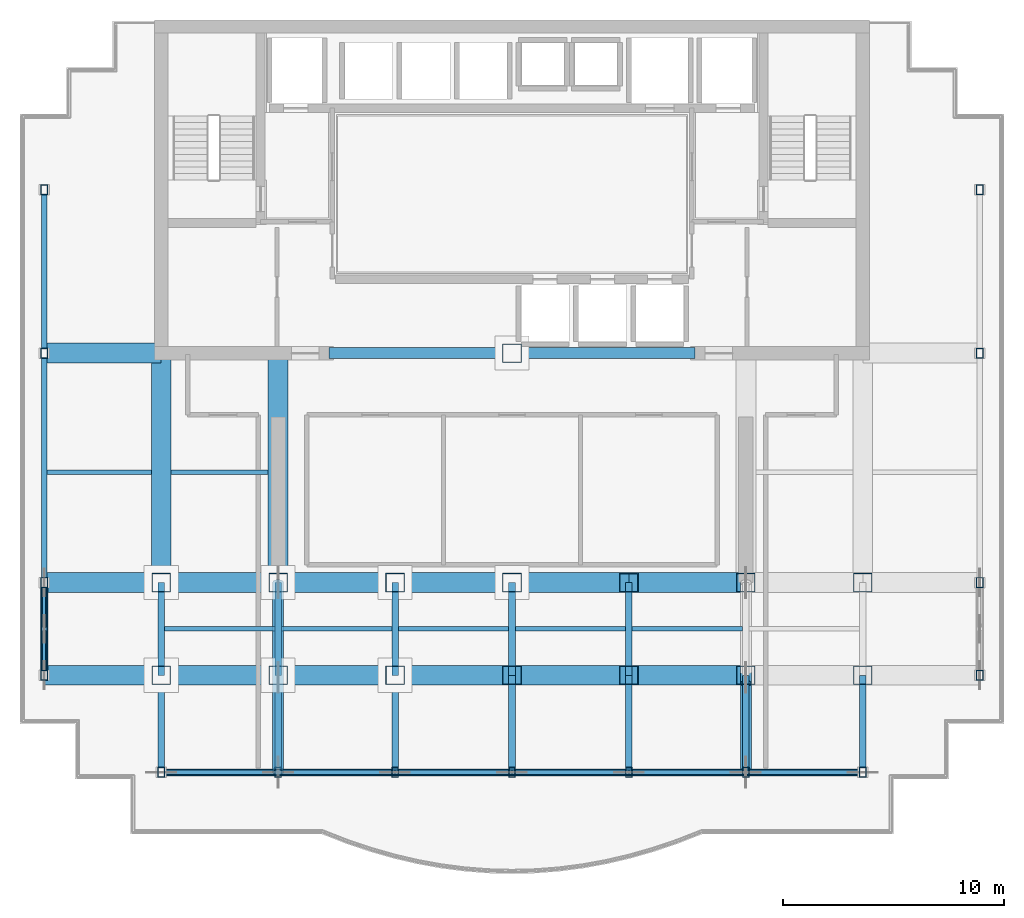
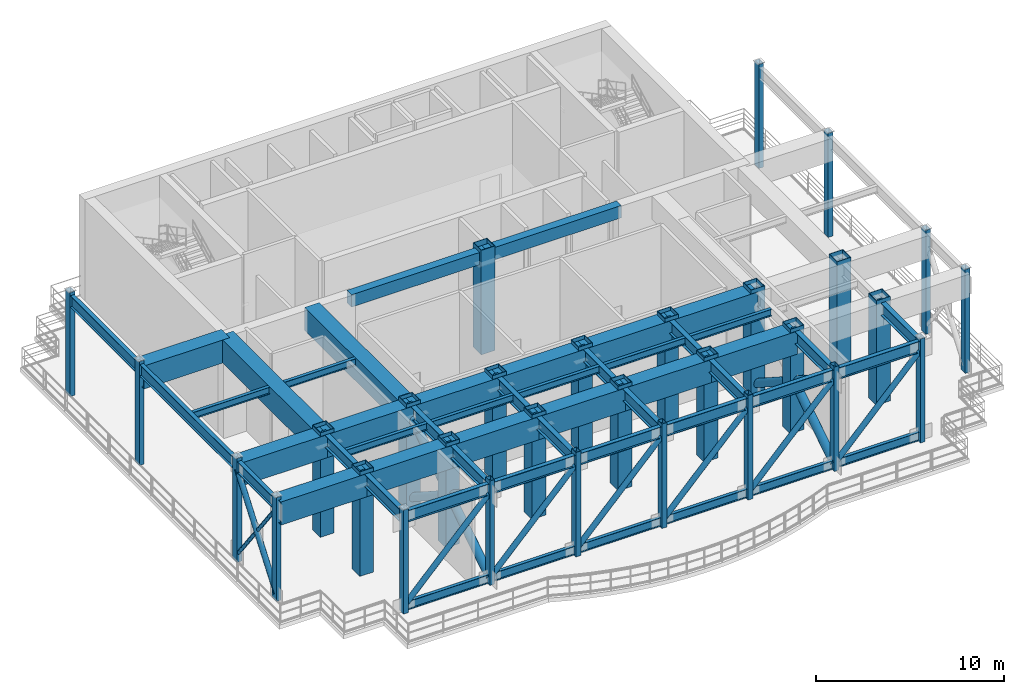
# One storey, part 1 of 7: 45 beams, 30 columns, 20 members.
"""IFC4 building model written with IfcOpenShell, lengths in metres."""

from ifc_helpers import new_model, si_unit, direction, frame, origin, origin_2d, place, context, subcontext, project, spatial, rectangle, hollow_rectangle, hollow_circle, i_section, extrude, material, material_profile, profile_set, type_object, element, save


model = new_model("IFC4")

# Units and contexts
model_context = context("Model", 3, precision=1e-05, world=origin(), true_north=direction((0.0, 1.0)))
body_context = subcontext(model_context, "Body", "Model", "MODEL_VIEW")
ifc_project = project(units=[si_unit("LENGTHUNIT", "METRE"), si_unit("AREAUNIT", "SQUARE_METRE"), si_unit("VOLUMEUNIT", "CUBIC_METRE"), si_unit("PLANEANGLEUNIT", "RADIAN"), si_unit("MASSUNIT", "GRAM", prefix="KILO")], contexts=[model_context])

# Site, building, storey
site_placement = place(None, origin())
site = spatial("IfcSite", under=ifc_project, at=site_placement, CompositionType="ELEMENT")
building_placement = place(site_placement, origin())
building = spatial("IfcBuilding", under=site, at=building_placement, Name="Qianlan Lanfeng Residences", CompositionType="ELEMENT")
storey_placement = place(building_placement, frame((0.0, 0.0, 185.39990234375)))
storey = spatial("IfcBuildingStorey", under=building, at=storey_placement, Name="L51", CompositionType="ELEMENT", Elevation=185.39990234375)

# Columns
ifc_material_1 = material(Name="Steel SN490B", Category="steel")
ifc_material_profile_1 = material_profile(ifc_material_1, hollow_rectangle(XDim=0.85009765625, YDim=0.85009765625, WallThickness=0.028076171875, at=origin_2d()), Name="BOX 850x850x28")
ifc_profile_set_1 = profile_set([ifc_material_profile_1], Name="Steel SN490B")
column_type_1 = type_object("IfcColumnType", Name="C-B900", PredefinedType="COLUMN", material=ifc_profile_set_1)
for number, where, z_axis, x_axis, name in (
    (1, (26.5, 25.199951171875, 0.0), (0.0, 0.0, 1.0), (1.0, 0.0, 0.0), "L51 Structural Column CP_26.5_25.2"),
    (2, (10.60009765625, 14.800048828125, 0.0), (0.0, 0.0, 1.0), (1.0, 0.0, 0.0), "L51 Structural Column M_10.60_14.80"),
    (3, (10.60009765625, 10.60009765625, 0.0), (0.0, 0.0, 1.0), (1.0, 0.0, 0.0), "L51 Structural Column G_10.60_10.60"),
    (4, (15.89990234375, 14.800048828125, 0.0), (0.0, 0.0, 1.0), (1.0, 0.0, 0.0), "L51 Structural Column M_15.90_14.80"),
    (5, (15.89990234375, 10.60009765625, 0.0), (0.0, 0.0, 1.0), (1.0, 0.0, 0.0), "L51 Structural Column G_15.90_10.60"),
    (6, (21.199951171875, 14.800048828125, 0.0), (0.0, 0.0, 1.0), (1.0, 0.0, 0.0), "L51 Structural Column M_21.20_14.80"),
    (7, (21.199951171875, 10.60009765625, 0.0), (0.0, 0.0, 1.0), (1.0, 0.0, 0.0), "L51 Structural Column G_21.20_10.60"),
    (8, (26.5, 14.800048828125, 0.0), (0.0, 0.0, 1.0), (1.0, 0.0, 0.0), "L51 Structural Column M_26.50_14.80"),
    (9, (26.5, 10.60009765625, 0.0), (0.0, 0.0, 1.0), (1.0, 0.0, 0.0), "L51 Structural Column G_26.50_10.60"),
    (10, (31.800048828125, 14.800048828125, 0.0), (0.0, 0.0, 1.0), (1.0, 0.0, 0.0), "L51 Structural Column M_31.80_14.80"),
    (11, (31.800048828125, 10.60009765625, 0.0), (0.0, 0.0, 1.0), (1.0, 0.0, 0.0), "L51 Structural Column G_31.80_10.60"),
    (12, (37.10009765625, 14.800048828125, 0.0), (0.0, 0.0, 1.0), (1.0, 0.0, 0.0), "L51 Structural Column M_37.10_14.80"),
    (13, (37.10009765625, 10.60009765625, 0.0), (0.0, 0.0, 1.0), (1.0, 0.0, 0.0), "L51 Structural Column G_37.10_10.60"),
    (14, (42.39990234375, 14.800048828125, 0.0), (0.0, 0.0, 1.0), (1.0, 0.0, 0.0), "L51 Structural Column M_42.40_14.80"),
    (15, (42.39990234375, 10.60009765625, 0.0), (0.0, 0.0, 1.0), (1.0, 0.0, 0.0), "L51 Structural Column G_42.40_10.60"),
):
    element("IfcColumn", number, at=place(storey_placement, frame(where, z_axis=z_axis, x_axis=x_axis)), inside=storey, type_object=column_type_1, Name=name, PredefinedType="COLUMN", context=body_context, shape_type="SweptSolid", body=[
        extrude(hollow_rectangle(XDim=0.85009765625, YDim=0.85009765625, WallThickness=0.028076171875, at=origin_2d()), origin(), (0.0, 0.0, 1.0), 6.800048828125),
    ])
ifc_material_profile_2 = material_profile(ifc_material_1, hollow_rectangle(XDim=0.300048828125, YDim=0.449951171875, WallThickness=0.01611328125, at=origin_2d()), Name="RHS 450x300x16")
ifc_profile_set_2 = profile_set([ifc_material_profile_2], Name="Steel SN490B")
column_type_2 = type_object("IfcColumnType", Name="CE-B950", PredefinedType="COLUMN", material=ifc_profile_set_2)
column_placement = place(storey_placement, frame((10.60009765625, 6.199951171875, 0.0), z_axis=(0.0, 0.0, 1.0), x_axis=(1.0, 0.0, 0.0)))
element("IfcColumn", 16, at=column_placement, inside=storey, type_object=column_type_2, Name="L51 Structural Column S_10.60_6.20", PredefinedType="COLUMN", context=body_context, shape_type="SweptSolid", body=[
    extrude(hollow_rectangle(XDim=0.300048828125, YDim=0.449951171875, WallThickness=0.01611328125, at=origin_2d()), origin(), (0.0, 0.0, 1.0), 6.76416015625),
])
for number, where, z_axis, x_axis, name in (
    (17, (15.89990234375, 6.199951171875, 0.0), (0.0, 0.0, 1.0), (1.0, 0.0, 0.0), "L51 Structural Column S_15.90_6.20"),
    (18, (21.199951171875, 6.199951171875, 0.0), (0.0, 0.0, 1.0), (1.0, 0.0, 0.0), "L51 Structural Column S_21.20_6.20"),
    (19, (26.5, 6.199951171875, 0.0), (0.0, 0.0, 1.0), (1.0, 0.0, 0.0), "L51 Structural Column S_26.50_6.20"),
    (20, (31.800048828125, 6.199951171875, 0.0), (0.0, 0.0, 1.0), (1.0, 0.0, 0.0), "L51 Structural Column S_31.80_6.20"),
    (21, (37.10009765625, 6.199951171875, 0.0), (0.0, 0.0, 1.0), (1.0, 0.0, 0.0), "L51 Structural Column S_37.10_6.20"),
):
    element("IfcColumn", number, at=place(storey_placement, frame(where, z_axis=z_axis, x_axis=x_axis)), inside=storey, type_object=column_type_2, Name=name, PredefinedType="COLUMN", context=body_context, shape_type="SweptSolid", body=[
        extrude(hollow_rectangle(XDim=0.300048828125, YDim=0.449951171875, WallThickness=0.01611328125, at=origin_2d()), origin(), (0.0, 0.0, 1.0), 6.800048828125),
    ])
for number, where, z_axis, x_axis, name in (
    (22, (42.39990234375, 6.199951171875, 0.0), (0.0, 0.0, 1.0), (1.0, 0.0, 0.0), "L51 Structural Column S_42.40_6.20"),
    (23, (5.300048828125, 10.60009765625, 0.0), (0.0, 0.0, 1.0), (1.0, 0.0, 0.0), "L51 Structural Column W_5.30_10.60"),
    (24, (5.300048828125, 14.800048828125, 0.0), (0.0, 0.0, 1.0), (1.0, 0.0, 0.0), "L51 Structural Column W_5.30_14.80"),
    (25, (5.300048828125, 25.199951171875, 0.0), (0.0, 0.0, 1.0), (1.0, 0.0, 0.0), "L51 Structural Column W_5.30_25.20"),
    (26, (5.300048828125, 32.60009765625, 0.0), (0.0, 0.0, 1.0), (1.0, 0.0, 0.0), "L51 Structural Column W_5.30_32.60"),
    (27, (47.699951171875, 10.60009765625, 0.0), (0.0, 0.0, 1.0), (1.0, 0.0, 0.0), "L51 Structural Column W_47.70_10.60"),
    (28, (47.699951171875, 14.800048828125, 0.0), (0.0, 0.0, 1.0), (1.0, 0.0, 0.0), "L51 Structural Column W_47.70_14.80"),
    (29, (47.699951171875, 25.199951171875, 0.0), (0.0, 0.0, 1.0), (1.0, 0.0, 0.0), "L51 Structural Column W_47.70_25.20"),
    (30, (47.699951171875, 32.60009765625, 0.0), (0.0, 0.0, 1.0), (1.0, 0.0, 0.0), "L51 Structural Column W_47.70_32.60"),
):
    element("IfcColumn", number, at=place(storey_placement, frame(where, z_axis=z_axis, x_axis=x_axis)), inside=storey, type_object=column_type_2, Name=name, PredefinedType="COLUMN", context=body_context, shape_type="SweptSolid", body=[
        extrude(hollow_rectangle(XDim=0.300048828125, YDim=0.449951171875, WallThickness=0.01611328125, at=origin_2d()), origin(), (0.0, 0.0, 1.0), 6.76416015625),
    ])

# Members
ifc_material_profile_3 = material_profile(ifc_material_1, hollow_circle(Radius=0.161865234375, WallThickness=0.0126953125, at=origin_2d()), Name="CHS 323.9x12.7")
ifc_profile_set_3 = profile_set([ifc_material_profile_3], Name="Steel SN490B")
member_type_1 = type_object("IfcMemberType", Name="BB-356", PredefinedType="BRACE", material=ifc_profile_set_3)
for number, where, z_axis, x_axis, name in (
    (31, (10.60009765625, 6.199951171875, 0.35009765625), (0.689963046468, 0.0, 0.723844592789), (0.0, 1.0, 0.0), "L51 South Belt Truss Diagonal 1"),
    (32, (15.89990234375, 6.199951171875, 0.35009765625), (0.689979699081, 0.0, 0.723828719281), (0.0, 1.0, 0.0), "L51 South Belt Truss Diagonal 2"),
    (33, (21.199951171875, 6.199951171875, 0.35009765625), (0.689979699081, 0.0, 0.723828719281), (0.0, 1.0, 0.0), "L51 South Belt Truss Diagonal 3"),
    (34, (26.5, 6.199951171875, 0.35009765625), (0.689979699081, 0.0, 0.723828719281), (0.0, 1.0, 0.0), "L51 South Belt Truss Diagonal 4"),
    (35, (31.800048828125, 6.199951171875, 0.35009765625), (0.689979699081, 0.0, 0.723828719281), (0.0, 1.0, 0.0), "L51 South Belt Truss Diagonal 5"),
    (36, (37.10009765625, 6.199951171875, 0.35009765625), (0.689963046468, 0.0, 0.723844592789), (0.0, 1.0, 0.0), "L51 South Belt Truss Diagonal 6"),
):
    element("IfcMember", number, at=place(storey_placement, frame(where, z_axis=z_axis, x_axis=x_axis)), inside=storey, type_object=member_type_1, Name=name, PredefinedType="BRACE", context=body_context, shape_type="SweptSolid", body=[
        extrude(hollow_circle(Radius=0.161865234375, WallThickness=0.0126953125, at=origin_2d()), origin(), (0.0, 0.0, 1.0), 7.681396484375),
    ])
member_1_placement = place(storey_placement, frame((5.300048828125, 10.60009765625, 0.35009765625), z_axis=(0.0, 0.602743372314, 0.79793510208), x_axis=(-1.0, 0.0, 0.0)))
element("IfcMember", 37, at=member_1_placement, inside=storey, type_object=member_type_1, Name="L51 W End Portal Continuous Diagonal", PredefinedType="BRACE", context=body_context, shape_type="SweptSolid", body=[
    extrude(hollow_circle(Radius=0.161865234375, WallThickness=0.0126953125, at=origin_2d()), origin(), (0.0, 0.0, 1.0), 6.968017578125),
])

# Beams
ifc_material_profile_4 = material_profile(ifc_material_1, i_section(OverallWidth=0.300048828125, OverallDepth=0.800048828125, WebThickness=0.01611328125, FlangeThickness=0.028076171875, at=origin_2d()), Name="H 800x300x16x28")
ifc_profile_set_4 = profile_set([ifc_material_profile_4], Name="Steel SN490B")
beam_type_1 = type_object("IfcBeamType", Name="G-950", PredefinedType="BEAM", material=ifc_profile_set_4)
beam_1_placement = place(storey_placement, frame((10.60009765625, 6.199951171875, 6.16015625), z_axis=(0.0, 1.0, 0.0), x_axis=(-1.0, 0.0, 0.0)))
element("IfcBeam", 38, at=beam_1_placement, inside=storey, type_object=beam_type_1, Name="Structural beam G-950", PredefinedType="BEAM", context=body_context, shape_type="SweptSolid", body=[
    extrude(i_section(OverallWidth=0.300048828125, OverallDepth=0.800048828125, WebThickness=0.01611328125, FlangeThickness=0.028076171875, at=origin_2d()), origin(), (0.0, 0.0, 1.0), 4.400146484375),
])
beam_2_placement = place(storey_placement, frame((10.60009765625, 10.60009765625, 6.16015625), z_axis=(0.0, 1.0, 0.0), x_axis=(-1.0, 0.0, 0.0)))
element("IfcBeam", 39, at=beam_2_placement, inside=storey, type_object=beam_type_1, Name="Structural beam G-950", PredefinedType="BEAM", context=body_context, shape_type="SweptSolid", body=[
    extrude(i_section(OverallWidth=0.300048828125, OverallDepth=0.800048828125, WebThickness=0.01611328125, FlangeThickness=0.028076171875, at=origin_2d()), origin(), (0.0, 0.0, 1.0), 4.199951171875),
])
beam_3_placement = place(storey_placement, frame((15.89990234375, 6.199951171875, 6.16015625), z_axis=(0.0, 1.0, 0.0), x_axis=(-1.0, 0.0, 0.0)))
element("IfcBeam", 40, at=beam_3_placement, inside=storey, type_object=beam_type_1, Name="Structural beam G-950", PredefinedType="BEAM", context=body_context, shape_type="SweptSolid", body=[
    extrude(i_section(OverallWidth=0.300048828125, OverallDepth=0.800048828125, WebThickness=0.01611328125, FlangeThickness=0.028076171875, at=origin_2d()), origin(), (0.0, 0.0, 1.0), 4.400146484375),
])
beam_4_placement = place(storey_placement, frame((15.89990234375, 10.60009765625, 6.16015625), z_axis=(0.0, 1.0, 0.0), x_axis=(-1.0, 0.0, 0.0)))
element("IfcBeam", 41, at=beam_4_placement, inside=storey, type_object=beam_type_1, Name="Structural beam G-950", PredefinedType="BEAM", context=body_context, shape_type="SweptSolid", body=[
    extrude(i_section(OverallWidth=0.300048828125, OverallDepth=0.800048828125, WebThickness=0.01611328125, FlangeThickness=0.028076171875, at=origin_2d()), origin(), (0.0, 0.0, 1.0), 4.199951171875),
])
beam_5_placement = place(storey_placement, frame((21.199951171875, 6.199951171875, 6.16015625), z_axis=(0.0, 1.0, 0.0), x_axis=(-1.0, 0.0, 0.0)))
element("IfcBeam", 42, at=beam_5_placement, inside=storey, type_object=beam_type_1, Name="Structural beam G-950", PredefinedType="BEAM", context=body_context, shape_type="SweptSolid", body=[
    extrude(i_section(OverallWidth=0.300048828125, OverallDepth=0.800048828125, WebThickness=0.01611328125, FlangeThickness=0.028076171875, at=origin_2d()), origin(), (0.0, 0.0, 1.0), 4.400146484375),
])
beam_6_placement = place(storey_placement, frame((21.199951171875, 10.60009765625, 6.16015625), z_axis=(0.0, 1.0, 0.0), x_axis=(-1.0, 0.0, 0.0)))
element("IfcBeam", 43, at=beam_6_placement, inside=storey, type_object=beam_type_1, Name="Structural beam G-950", PredefinedType="BEAM", context=body_context, shape_type="SweptSolid", body=[
    extrude(i_section(OverallWidth=0.300048828125, OverallDepth=0.800048828125, WebThickness=0.01611328125, FlangeThickness=0.028076171875, at=origin_2d()), origin(), (0.0, 0.0, 1.0), 4.199951171875),
])
beam_7_placement = place(storey_placement, frame((26.5, 6.199951171875, 6.16015625), z_axis=(0.0, 1.0, 0.0), x_axis=(-1.0, 0.0, 0.0)))
element("IfcBeam", 44, at=beam_7_placement, inside=storey, type_object=beam_type_1, Name="Structural beam G-950", PredefinedType="BEAM", context=body_context, shape_type="SweptSolid", body=[
    extrude(i_section(OverallWidth=0.300048828125, OverallDepth=0.800048828125, WebThickness=0.01611328125, FlangeThickness=0.028076171875, at=origin_2d()), origin(), (0.0, 0.0, 1.0), 4.400146484375),
])
beam_8_placement = place(storey_placement, frame((26.5, 10.60009765625, 6.16015625), z_axis=(0.0, 1.0, 0.0), x_axis=(-1.0, 0.0, 0.0)))
element("IfcBeam", 45, at=beam_8_placement, inside=storey, type_object=beam_type_1, Name="Structural beam G-950", PredefinedType="BEAM", context=body_context, shape_type="SweptSolid", body=[
    extrude(i_section(OverallWidth=0.300048828125, OverallDepth=0.800048828125, WebThickness=0.01611328125, FlangeThickness=0.028076171875, at=origin_2d()), origin(), (0.0, 0.0, 1.0), 4.199951171875),
])
beam_9_placement = place(storey_placement, frame((31.800048828125, 6.199951171875, 6.16015625), z_axis=(0.0, 1.0, 0.0), x_axis=(-1.0, 0.0, 0.0)))
element("IfcBeam", 46, at=beam_9_placement, inside=storey, type_object=beam_type_1, Name="Structural beam G-950", PredefinedType="BEAM", context=body_context, shape_type="SweptSolid", body=[
    extrude(i_section(OverallWidth=0.300048828125, OverallDepth=0.800048828125, WebThickness=0.01611328125, FlangeThickness=0.028076171875, at=origin_2d()), origin(), (0.0, 0.0, 1.0), 4.400146484375),
])
beam_10_placement = place(storey_placement, frame((31.800048828125, 10.60009765625, 6.16015625), z_axis=(0.0, 1.0, 0.0), x_axis=(-1.0, 0.0, 0.0)))
element("IfcBeam", 47, at=beam_10_placement, inside=storey, type_object=beam_type_1, Name="Structural beam G-950", PredefinedType="BEAM", context=body_context, shape_type="SweptSolid", body=[
    extrude(i_section(OverallWidth=0.300048828125, OverallDepth=0.800048828125, WebThickness=0.01611328125, FlangeThickness=0.028076171875, at=origin_2d()), origin(), (0.0, 0.0, 1.0), 4.199951171875),
])
for number, where, z_axis, x_axis, name in (
    (48, (37.10009765625, 6.199951171875, 6.16015625), (0.0, 1.0, 0.0), (-1.0, 0.0, 0.0), "Structural beam G-950"),
    (49, (42.39990234375, 6.199951171875, 6.16015625), (0.0, 1.0, 0.0), (-1.0, 0.0, 0.0), "Structural beam G-950"),
):
    element("IfcBeam", number, at=place(storey_placement, frame(where, z_axis=z_axis, x_axis=x_axis)), inside=storey, type_object=beam_type_1, Name=name, PredefinedType="BEAM", context=body_context, shape_type="SweptSolid", body=[
        extrude(i_section(OverallWidth=0.300048828125, OverallDepth=0.800048828125, WebThickness=0.01611328125, FlangeThickness=0.028076171875, at=origin_2d()), origin(), (0.0, 0.0, 1.0), 4.400146484375),
    ])
ifc_material_profile_5 = material_profile(ifc_material_1, i_section(OverallWidth=0.199951171875, OverallDepth=0.449951171875, WebThickness=0.009033203125, FlangeThickness=0.013916015625, at=origin_2d()), Name="H 450x200x9x14")
ifc_profile_set_5 = profile_set([ifc_material_profile_5], Name="Steel SN490B")
beam_type_2 = type_object("IfcBeamType", Name="J-450", PredefinedType="JOIST", material=ifc_profile_set_5)
for number, where, z_axis, x_axis, name in (
    (50, (10.75, 12.699951171875, 6.335205078125), (1.0, 0.0, 0.0), (0.0, 1.0, 0.0), "Structural beam J-450"),
    (51, (16.050048828125, 12.699951171875, 6.335205078125), (1.0, 0.0, 0.0), (0.0, 1.0, 0.0), "Structural beam J-450"),
    (52, (21.35009765625, 12.699951171875, 6.335205078125), (1.0, 0.0, 0.0), (0.0, 1.0, 0.0), "Structural beam J-450"),
    (53, (26.64990234375, 12.699951171875, 6.335205078125), (1.0, 0.0, 0.0), (0.0, 1.0, 0.0), "Structural beam J-450"),
    (54, (31.949951171875, 12.699951171875, 6.335205078125), (1.0, 0.0, 0.0), (0.0, 1.0, 0.0), "Structural beam J-450"),
):
    element("IfcBeam", number, at=place(storey_placement, frame(where, z_axis=z_axis, x_axis=x_axis)), inside=storey, type_object=beam_type_2, Name=name, PredefinedType="JOIST", context=body_context, shape_type="SweptSolid", body=[
        extrude(i_section(OverallWidth=0.199951171875, OverallDepth=0.449951171875, WebThickness=0.009033203125, FlangeThickness=0.013916015625, at=origin_2d()), origin(), (0.0, 0.0, 1.0), 5.0),
    ])
beam_11_placement = place(storey_placement, frame((5.425048828125, 19.800048828125, 6.335205078125), z_axis=(1.0, 0.0, 0.0), x_axis=(0.0, 1.0, 0.0)))
element("IfcBeam", 55, at=beam_11_placement, inside=storey, type_object=beam_type_2, Name="Structural beam J-450", PredefinedType="JOIST", context=body_context, shape_type="SweptSolid", body=[
    extrude(i_section(OverallWidth=0.199951171875, OverallDepth=0.449951171875, WebThickness=0.009033203125, FlangeThickness=0.013916015625, at=origin_2d()), origin(), (0.0, 0.0, 1.0), 4.724853515625),
])
beam_12_placement = place(storey_placement, frame((11.050048828125, 19.800048828125, 6.335205078125), z_axis=(1.0, 0.0, 0.0), x_axis=(0.0, 1.0, 0.0)))
element("IfcBeam", 56, at=beam_12_placement, inside=storey, type_object=beam_type_2, Name="Structural beam J-450", PredefinedType="JOIST", context=body_context, shape_type="SweptSolid", body=[
    extrude(i_section(OverallWidth=0.199951171875, OverallDepth=0.449951171875, WebThickness=0.009033203125, FlangeThickness=0.013916015625, at=origin_2d()), origin(), (0.0, 0.0, 1.0), 4.39990234375),
])
ifc_material_2 = material(Name="Concrete C49", Category="concrete")
ifc_material_profile_6 = material_profile(ifc_material_2, rectangle(XDim=0.5, YDim=0.800048828125, at=origin_2d()), Name="RC 500x800")
ifc_profile_set_6 = profile_set([ifc_material_profile_6], Name="Concrete C49")
beam_type_3 = type_object("IfcBeamType", Name="LB-RC750", PredefinedType="BEAM", material=ifc_profile_set_6)
for number, where, z_axis, x_axis, name in (
    (57, (18.199951171875, 25.199951171875, 6.16015625), (1.0, 0.0, 0.0), (0.0, 1.0, 0.0), "L51 Core Coupling Beam W"),
    (58, (26.5, 25.199951171875, 6.16015625), (1.0, 0.0, 0.0), (0.0, 1.0, 0.0), "L51 Core Coupling Beam E"),
):
    element("IfcBeam", number, at=place(storey_placement, frame(where, z_axis=z_axis, x_axis=x_axis)), inside=storey, type_object=beam_type_3, Name=name, PredefinedType="BEAM", context=body_context, shape_type="SweptSolid", body=[
        extrude(rectangle(XDim=0.5, YDim=0.800048828125, at=origin_2d()), origin(), (0.0, 0.0, 1.0), 8.300048828125),
    ])

# Members
ifc_material_profile_7 = material_profile(ifc_material_1, hollow_circle(Radius=0.25390625, WallThickness=0.02197265625, at=origin_2d()), Name="CHS 508x22")
ifc_profile_set_7 = profile_set([ifc_material_profile_7], Name="Steel SN490B")
member_type_2 = type_object("IfcMemberType", Name="OB-508", PredefinedType="BRACE", material=ifc_profile_set_7)
member_2_placement = place(storey_placement, frame((15.89990234375, 14.800048828125, 0.35009765625), z_axis=(0.0, -0.839779884562, 0.542927016721), x_axis=(1.0, 0.0, 0.0)))
element("IfcMember", 59, at=member_2_placement, inside=storey, type_object=member_type_2, Name="L51 Outrigger Continuous Diagonal G4-D1", PredefinedType="BRACE", context=body_context, shape_type="SweptSolid", body=[
    extrude(hollow_circle(Radius=0.25390625, WallThickness=0.02197265625, at=origin_2d()), origin(), (0.0, 0.0, 1.0), 10.240966796875),
])
member_3_placement = place(storey_placement, frame((15.89990234375, 14.800048828125, 5.91015625), z_axis=(0.0, -0.839761131454, -0.542956022251), x_axis=(1.0, 0.0, 0.0)))
element("IfcMember", 60, at=member_3_placement, inside=storey, type_object=member_type_2, Name="L51 Outrigger Split Upper Half-Diagonal G4-D2A", PredefinedType="BRACE", context=body_context, shape_type="SweptSolid", body=[
    extrude(hollow_circle(Radius=0.25390625, WallThickness=0.02197265625, at=origin_2d()), origin(), (0.0, 0.0, 1.0), 4.800537109375),
])
member_4_placement = place(storey_placement, frame((15.89990234375, 10.231201171875, 2.956298828125), z_axis=(0.0, -0.839784320035, -0.54292015603), x_axis=(1.0, 0.0, 0.0)))
element("IfcMember", 61, at=member_4_placement, inside=storey, type_object=member_type_2, Name="L51 Outrigger Split Lower Half-Diagonal G4-D2B", PredefinedType="BRACE", context=body_context, shape_type="SweptSolid", body=[
    extrude(hollow_circle(Radius=0.25390625, WallThickness=0.02197265625, at=origin_2d()), origin(), (0.0, 0.0, 1.0), 4.80029296875),
])
member_5_placement = place(storey_placement, frame((37.10009765625, 14.800048828125, 0.35009765625), z_axis=(0.0, -0.839779884562, 0.542927016721), x_axis=(1.0, 0.0, 0.0)))
element("IfcMember", 62, at=member_5_placement, inside=storey, type_object=member_type_2, Name="L51 Outrigger Continuous Diagonal G8-D1", PredefinedType="BRACE", context=body_context, shape_type="SweptSolid", body=[
    extrude(hollow_circle(Radius=0.25390625, WallThickness=0.02197265625, at=origin_2d()), origin(), (0.0, 0.0, 1.0), 10.240966796875),
])
member_6_placement = place(storey_placement, frame((37.10009765625, 10.231201171875, 2.956298828125), z_axis=(0.0, -0.839784320035, -0.54292015603), x_axis=(1.0, 0.0, 0.0)))
element("IfcMember", 63, at=member_6_placement, inside=storey, type_object=member_type_2, Name="L51 Outrigger Split Lower Half-Diagonal G8-D2B", PredefinedType="BRACE", context=body_context, shape_type="SweptSolid", body=[
    extrude(hollow_circle(Radius=0.25390625, WallThickness=0.02197265625, at=origin_2d()), origin(), (0.0, 0.0, 1.0), 4.80029296875),
])
ifc_material_profile_8 = material_profile(ifc_material_1, hollow_circle(Radius=0.109619140625, WallThickness=0.010009765625, at=origin_2d()), Name="CHS 219.1x10")
ifc_profile_set_8 = profile_set([ifc_material_profile_8], Name="Steel SN490B")
member_type_3 = type_object("IfcMemberType", Name="PB-273", PredefinedType="STRUT", material=ifc_profile_set_8)
member_7_placement = place(storey_placement, frame((5.300048828125, 14.800048828125, 0.35009765625), z_axis=(0.0, -0.602766012183, 0.797917999895), x_axis=(1.0, 0.0, 0.0)))
element("IfcMember", 64, at=member_7_placement, inside=storey, type_object=member_type_3, Name="L51 W Portal Split Counter-Brace Lower Half", PredefinedType="STRUT", context=body_context, shape_type="SweptSolid", body=[
    extrude(hollow_circle(Radius=0.109619140625, WallThickness=0.010009765625, at=origin_2d()), origin(), (0.0, 0.0, 1.0), 3.243896484375),
])
member_8_placement = place(storey_placement, frame((5.300048828125, 12.555419921875, 3.321533203125), z_axis=(0.0, -0.602729816328, 0.797945341806), x_axis=(1.0, 0.0, 0.0)))
element("IfcMember", 65, at=member_8_placement, inside=storey, type_object=member_type_3, Name="L51 W Portal Split Counter-Brace Upper Half", PredefinedType="STRUT", context=body_context, shape_type="SweptSolid", body=[
    extrude(hollow_circle(Radius=0.109619140625, WallThickness=0.010009765625, at=origin_2d()), origin(), (0.0, 0.0, 1.0), 3.244140625),
])

# Beams
ifc_material_profile_9 = material_profile(ifc_material_1, i_section(OverallWidth=0.25, OverallDepth=0.75, WebThickness=0.013916015625, FlangeThickness=0.02490234375, at=origin_2d()), Name="H 750x250x14x25")
ifc_profile_set_9 = profile_set([ifc_material_profile_9], Name="Steel SN490B")
beam_type_4 = type_object("IfcBeamType", Name="SG-850", PredefinedType="SPANDREL", material=ifc_profile_set_9)
beam_13_placement = place(storey_placement, frame((10.60009765625, 6.199951171875, 6.18505859375), z_axis=(1.0, 0.0, 0.0), x_axis=(0.0, 1.0, 0.0)))
element("IfcBeam", 66, at=beam_13_placement, inside=storey, type_object=beam_type_4, Name="Structural beam SG-850", PredefinedType="SPANDREL", context=body_context, shape_type="SweptSolid", body=[
    extrude(i_section(OverallWidth=0.25, OverallDepth=0.75, WebThickness=0.013916015625, FlangeThickness=0.02490234375, at=origin_2d()), origin(), (0.0, 0.0, 1.0), 5.2998046875),
])
for number, where, z_axis, x_axis, name in (
    (67, (15.89990234375, 6.199951171875, 6.18505859375), (1.0, 0.0, 0.0), (0.0, 1.0, 0.0), "Structural beam SG-850"),
    (68, (21.199951171875, 6.199951171875, 6.18505859375), (1.0, 0.0, 0.0), (0.0, 1.0, 0.0), "Structural beam SG-850"),
    (69, (26.5, 6.199951171875, 6.18505859375), (1.0, 0.0, 0.0), (0.0, 1.0, 0.0), "Structural beam SG-850"),
    (70, (31.800048828125, 6.199951171875, 6.18505859375), (1.0, 0.0, 0.0), (0.0, 1.0, 0.0), "Structural beam SG-850"),
):
    element("IfcBeam", number, at=place(storey_placement, frame(where, z_axis=z_axis, x_axis=x_axis)), inside=storey, type_object=beam_type_4, Name=name, PredefinedType="SPANDREL", context=body_context, shape_type="SweptSolid", body=[
        extrude(i_section(OverallWidth=0.25, OverallDepth=0.75, WebThickness=0.013916015625, FlangeThickness=0.02490234375, at=origin_2d()), origin(), (0.0, 0.0, 1.0), 5.300048828125),
    ])
beam_14_placement = place(storey_placement, frame((37.10009765625, 6.199951171875, 6.18505859375), z_axis=(1.0, 0.0, 0.0), x_axis=(0.0, 1.0, 0.0)))
element("IfcBeam", 71, at=beam_14_placement, inside=storey, type_object=beam_type_4, Name="Structural beam SG-850", PredefinedType="SPANDREL", context=body_context, shape_type="SweptSolid", body=[
    extrude(i_section(OverallWidth=0.25, OverallDepth=0.75, WebThickness=0.013916015625, FlangeThickness=0.02490234375, at=origin_2d()), origin(), (0.0, 0.0, 1.0), 5.2998046875),
])
beam_15_placement = place(storey_placement, frame((5.300048828125, 10.60009765625, 6.18505859375), z_axis=(0.0, 1.0, 0.0), x_axis=(-1.0, 0.0, 0.0)))
element("IfcBeam", 72, at=beam_15_placement, inside=storey, type_object=beam_type_4, Name="Structural beam SG-850", PredefinedType="SPANDREL", context=body_context, shape_type="SweptSolid", body=[
    extrude(i_section(OverallWidth=0.25, OverallDepth=0.75, WebThickness=0.013916015625, FlangeThickness=0.02490234375, at=origin_2d()), origin(), (0.0, 0.0, 1.0), 4.199951171875),
])
beam_16_placement = place(storey_placement, frame((5.300048828125, 14.800048828125, 6.18505859375), z_axis=(0.0, 1.0, 0.0), x_axis=(-1.0, 0.0, 0.0)))
element("IfcBeam", 73, at=beam_16_placement, inside=storey, type_object=beam_type_4, Name="Structural beam SG-850", PredefinedType="SPANDREL", context=body_context, shape_type="SweptSolid", body=[
    extrude(i_section(OverallWidth=0.25, OverallDepth=0.75, WebThickness=0.013916015625, FlangeThickness=0.02490234375, at=origin_2d()), origin(), (0.0, 0.0, 1.0), 10.39990234375),
])
beam_17_placement = place(storey_placement, frame((5.300048828125, 25.199951171875, 6.18505859375), z_axis=(0.0, 1.0, 0.0), x_axis=(-1.0, 0.0, 0.0)))
element("IfcBeam", 74, at=beam_17_placement, inside=storey, type_object=beam_type_4, Name="Structural beam SG-850", PredefinedType="SPANDREL", context=body_context, shape_type="SweptSolid", body=[
    extrude(i_section(OverallWidth=0.25, OverallDepth=0.75, WebThickness=0.013916015625, FlangeThickness=0.02490234375, at=origin_2d()), origin(), (0.0, 0.0, 1.0), 7.400146484375),
])

# Members
ifc_material_profile_10 = material_profile(ifc_material_1, i_section(OverallWidth=0.199951171875, OverallDepth=0.550048828125, WebThickness=0.010986328125, FlangeThickness=0.01806640625, at=origin_2d()), Name="H 550x200x11x18")
ifc_profile_set_10 = profile_set([ifc_material_profile_10], Name="Steel SN490B")
member_type_4 = type_object("IfcMemberType", Name="TC-550", PredefinedType="CHORD", material=ifc_profile_set_10)
member_9_placement = place(storey_placement, frame((10.60009765625, 6.199951171875, 0.35009765625), z_axis=(1.0, 0.0, 0.0), x_axis=(0.0, 1.0, 0.0)))
element("IfcMember", 75, at=member_9_placement, inside=storey, type_object=member_type_4, Name="L51 South Belt Truss Bottom Chord 1", PredefinedType="CHORD", context=body_context, shape_type="SweptSolid", body=[
    extrude(i_section(OverallWidth=0.199951171875, OverallDepth=0.550048828125, WebThickness=0.010986328125, FlangeThickness=0.01806640625, at=origin_2d()), origin(), (0.0, 0.0, 1.0), 5.2998046875),
])
for number, where, z_axis, x_axis, name in (
    (76, (15.89990234375, 6.199951171875, 0.35009765625), (1.0, 0.0, 0.0), (0.0, 1.0, 0.0), "L51 South Belt Truss Bottom Chord 2"),
    (77, (21.199951171875, 6.199951171875, 0.35009765625), (1.0, 0.0, 0.0), (0.0, 1.0, 0.0), "L51 South Belt Truss Bottom Chord 3"),
    (78, (26.5, 6.199951171875, 0.35009765625), (1.0, 0.0, 0.0), (0.0, 1.0, 0.0), "L51 South Belt Truss Bottom Chord 4"),
    (79, (31.800048828125, 6.199951171875, 0.35009765625), (1.0, 0.0, 0.0), (0.0, 1.0, 0.0), "L51 South Belt Truss Bottom Chord 5"),
):
    element("IfcMember", number, at=place(storey_placement, frame(where, z_axis=z_axis, x_axis=x_axis)), inside=storey, type_object=member_type_4, Name=name, PredefinedType="CHORD", context=body_context, shape_type="SweptSolid", body=[
        extrude(i_section(OverallWidth=0.199951171875, OverallDepth=0.550048828125, WebThickness=0.010986328125, FlangeThickness=0.01806640625, at=origin_2d()), origin(), (0.0, 0.0, 1.0), 5.300048828125),
    ])
member_10_placement = place(storey_placement, frame((37.10009765625, 6.199951171875, 0.35009765625), z_axis=(1.0, 0.0, 0.0), x_axis=(0.0, 1.0, 0.0)))
element("IfcMember", 80, at=member_10_placement, inside=storey, type_object=member_type_4, Name="L51 South Belt Truss Bottom Chord 6", PredefinedType="CHORD", context=body_context, shape_type="SweptSolid", body=[
    extrude(i_section(OverallWidth=0.199951171875, OverallDepth=0.550048828125, WebThickness=0.010986328125, FlangeThickness=0.01806640625, at=origin_2d()), origin(), (0.0, 0.0, 1.0), 5.2998046875),
])

# Beams
ifc_material_3 = material(Name="Steel SM570 (420 MPa)", Category="steel")
ifc_material_profile_11 = material_profile(ifc_material_3, hollow_rectangle(XDim=0.89990234375, YDim=1.5, WallThickness=0.035888671875, at=origin_2d()), Name="BOX 1500x900x36")
ifc_profile_set_11 = profile_set([ifc_material_profile_11], Name="Steel SM570 (420 MPa)")
beam_type_5 = type_object("IfcBeamType", Name="TG-1800", PredefinedType="BEAM", material=ifc_profile_set_11)
beam_18_placement = place(storey_placement, frame((5.300048828125, 10.60009765625, 5.81005859375), z_axis=(1.0, 0.0, 0.0), x_axis=(0.0, 1.0, 0.0)))
element("IfcBeam", 81, at=beam_18_placement, inside=storey, type_object=beam_type_5, Name="Structural beam TG-1800", PredefinedType="BEAM", context=body_context, shape_type="SweptSolid", body=[
    extrude(hollow_rectangle(XDim=0.89990234375, YDim=1.5, WallThickness=0.035888671875, at=origin_2d()), origin(), (0.0, 0.0, 1.0), 5.300048828125),
])
beam_19_placement = place(storey_placement, frame((10.60009765625, 10.60009765625, 5.81005859375), z_axis=(1.0, 0.0, 0.0), x_axis=(0.0, 1.0, 0.0)))
element("IfcBeam", 82, at=beam_19_placement, inside=storey, type_object=beam_type_5, Name="Structural beam TG-1800", PredefinedType="BEAM", context=body_context, shape_type="SweptSolid", body=[
    extrude(hollow_rectangle(XDim=0.89990234375, YDim=1.5, WallThickness=0.035888671875, at=origin_2d()), origin(), (0.0, 0.0, 1.0), 5.2998046875),
])
for number, where, z_axis, x_axis, name in (
    (83, (15.89990234375, 10.60009765625, 5.81005859375), (1.0, 0.0, 0.0), (0.0, 1.0, 0.0), "Structural beam TG-1800"),
    (84, (21.199951171875, 10.60009765625, 5.81005859375), (1.0, 0.0, 0.0), (0.0, 1.0, 0.0), "Structural beam TG-1800"),
    (85, (26.5, 10.60009765625, 5.81005859375), (1.0, 0.0, 0.0), (0.0, 1.0, 0.0), "Structural beam TG-1800"),
    (86, (31.800048828125, 10.60009765625, 5.81005859375), (1.0, 0.0, 0.0), (0.0, 1.0, 0.0), "Structural beam TG-1800"),
    (87, (5.300048828125, 14.800048828125, 5.81005859375), (1.0, 0.0, 0.0), (0.0, 1.0, 0.0), "Structural beam TG-1800"),
):
    element("IfcBeam", number, at=place(storey_placement, frame(where, z_axis=z_axis, x_axis=x_axis)), inside=storey, type_object=beam_type_5, Name=name, PredefinedType="BEAM", context=body_context, shape_type="SweptSolid", body=[
        extrude(hollow_rectangle(XDim=0.89990234375, YDim=1.5, WallThickness=0.035888671875, at=origin_2d()), origin(), (0.0, 0.0, 1.0), 5.300048828125),
    ])
beam_20_placement = place(storey_placement, frame((10.60009765625, 14.800048828125, 5.81005859375), z_axis=(1.0, 0.0, 0.0), x_axis=(0.0, 1.0, 0.0)))
element("IfcBeam", 88, at=beam_20_placement, inside=storey, type_object=beam_type_5, Name="Structural beam TG-1800", PredefinedType="BEAM", context=body_context, shape_type="SweptSolid", body=[
    extrude(hollow_rectangle(XDim=0.89990234375, YDim=1.5, WallThickness=0.035888671875, at=origin_2d()), origin(), (0.0, 0.0, 1.0), 5.2998046875),
])
for number, where, z_axis, x_axis, name in (
    (89, (15.89990234375, 14.800048828125, 5.81005859375), (1.0, 0.0, 0.0), (0.0, 1.0, 0.0), "Structural beam TG-1800"),
    (90, (21.199951171875, 14.800048828125, 5.81005859375), (1.0, 0.0, 0.0), (0.0, 1.0, 0.0), "Structural beam TG-1800"),
    (91, (26.5, 14.800048828125, 5.81005859375), (1.0, 0.0, 0.0), (0.0, 1.0, 0.0), "Structural beam TG-1800"),
    (92, (31.800048828125, 14.800048828125, 5.81005859375), (1.0, 0.0, 0.0), (0.0, 1.0, 0.0), "Structural beam TG-1800"),
    (93, (5.300048828125, 25.199951171875, 5.81005859375), (1.0, 0.0, 0.0), (0.0, 1.0, 0.0), "Structural beam TG-1800"),
):
    element("IfcBeam", number, at=place(storey_placement, frame(where, z_axis=z_axis, x_axis=x_axis)), inside=storey, type_object=beam_type_5, Name=name, PredefinedType="BEAM", context=body_context, shape_type="SweptSolid", body=[
        extrude(hollow_rectangle(XDim=0.89990234375, YDim=1.5, WallThickness=0.035888671875, at=origin_2d()), origin(), (0.0, 0.0, 1.0), 5.300048828125),
    ])
for number, where, z_axis, x_axis, name in (
    (94, (10.60009765625, 14.800048828125, 5.81005859375), (0.0, 1.0, 0.0), (-1.0, 0.0, 0.0), "Structural beam TG-1800"),
    (95, (15.89990234375, 14.800048828125, 5.81005859375), (0.0, 1.0, 0.0), (-1.0, 0.0, 0.0), "Structural beam TG-1800"),
):
    element("IfcBeam", number, at=place(storey_placement, frame(where, z_axis=z_axis, x_axis=x_axis)), inside=storey, type_object=beam_type_5, Name=name, PredefinedType="BEAM", context=body_context, shape_type="SweptSolid", body=[
        extrude(hollow_rectangle(XDim=0.89990234375, YDim=1.5, WallThickness=0.035888671875, at=origin_2d()), origin(), (0.0, 0.0, 1.0), 10.39990234375),
    ])

save(model, "model.ifc")
